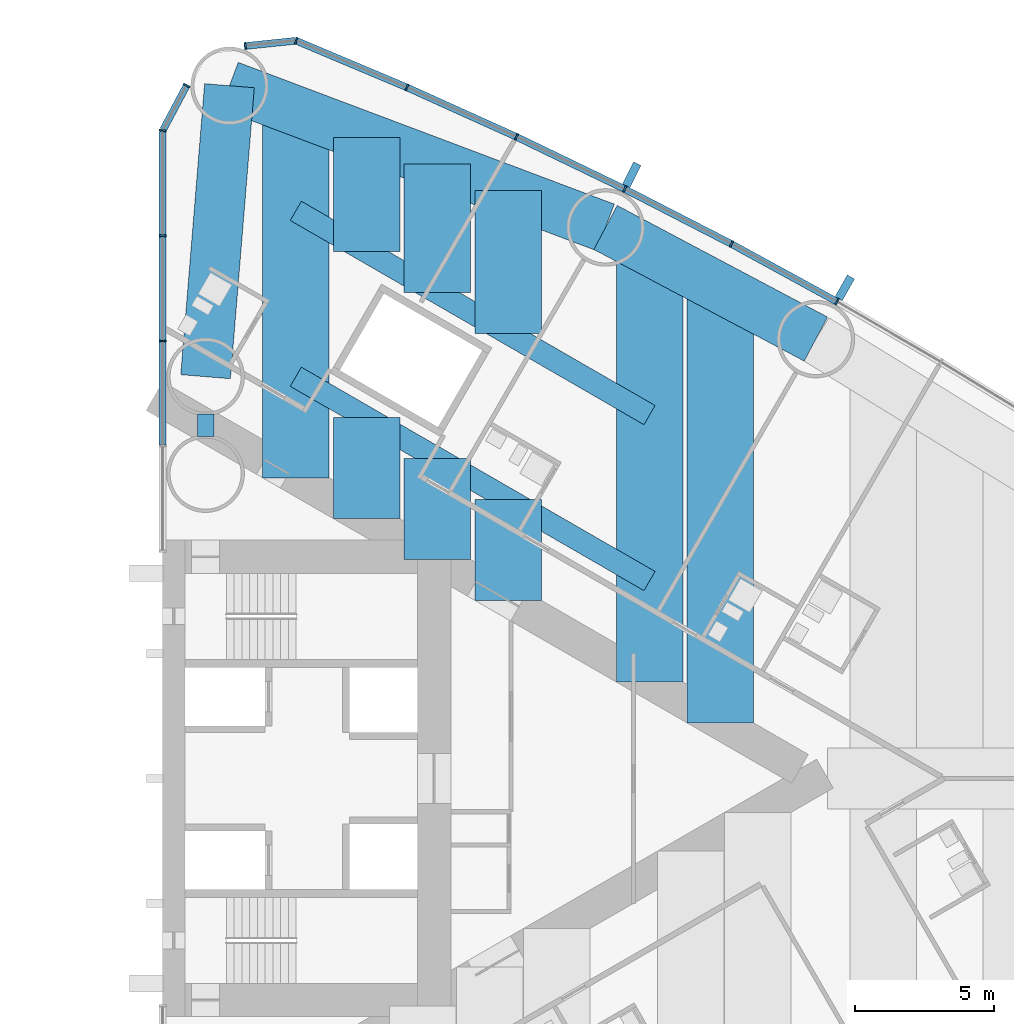
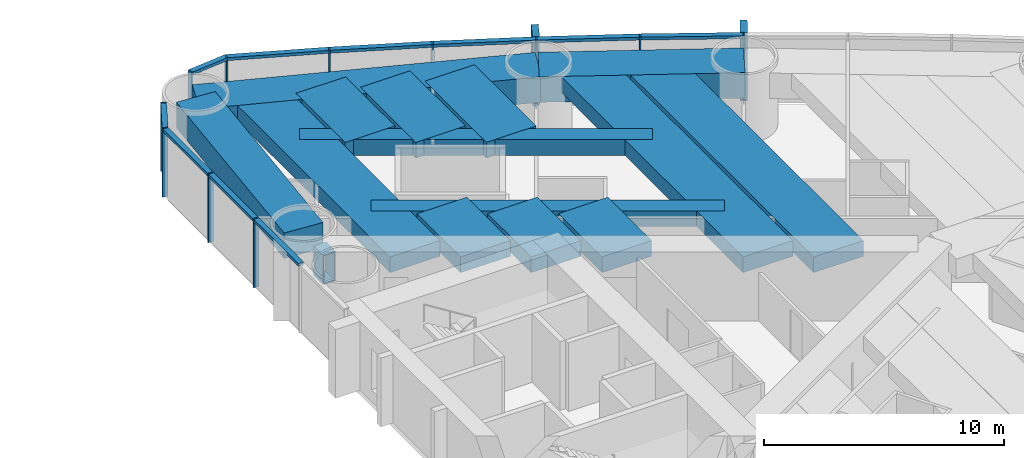
# One storey, part 7 of 18: 23 members, 15 beams, 2 elements without a shape of their own.
"""IFC4 building model written with IfcOpenShell, lengths in metres."""

from ifc_helpers import new_model, si_unit, direction, frame, origin, origin_2d, place, context, subcontext, project, spatial, rectangle, hollow_rectangle, extrude, material, material_profile, profile_set, type_object, element, aggregate, save


model = new_model("IFC4")

# Units and contexts
model_context = context("Model", 3, precision=1e-05, world=origin(), true_north=direction((0.0, 1.0)))
body_context = subcontext(model_context, "Body", "Model", "MODEL_VIEW")
ifc_project = project(units=[si_unit("LENGTHUNIT", "METRE"), si_unit("AREAUNIT", "SQUARE_METRE"), si_unit("VOLUMEUNIT", "CUBIC_METRE"), si_unit("PLANEANGLEUNIT", "RADIAN"), si_unit("MASSUNIT", "GRAM", prefix="KILO")], contexts=[model_context])

# Site, building, storey
site_placement = place(None, origin())
site = spatial("IfcSite", under=ifc_project, at=site_placement, CompositionType="ELEMENT")
building_placement = place(site_placement, origin())
building = spatial("IfcBuilding", under=site, at=building_placement, Name="Lancet Gate Hotel", CompositionType="ELEMENT")
storey_placement = place(building_placement, frame((0.0, 0.0, 56.5)))
storey = spatial("IfcBuildingStorey", under=building, at=storey_placement, Name="L14", CompositionType="ELEMENT", Elevation=56.5)

# Curtain wall, members
ifc_material_1 = material(Name="Aluminium curtain wall", Category="aluminium")
curtain_wall_type = type_object("IfcCurtainWallType", Name="Tower unitised curtain wall", PredefinedType="USERDEFINED", material=ifc_material_1)
curtain_wall_1_placement = place(storey_placement, origin())
curtain_wall_1 = element("IfcCurtainWall", 1, at=curtain_wall_1_placement, inside=storey, type_object=curtain_wall_type, Name="T2 L14 curtain wall 3", ObjectType="UNITISED CURTAIN WALL", PredefinedType="USERDEFINED")
ifc_material_2 = material(Name="Aluminium mullion", Category="aluminium")
ifc_material_profile_1 = material_profile(ifc_material_2, rectangle(XDim=0.06494140625, YDim=0.25, at=origin_2d()), Name="MULLION 65x250")
ifc_profile_set_1 = profile_set([ifc_material_profile_1], Name="Aluminium mullion")
member_type_1 = type_object("IfcMemberType", Name="Aluminium mullion 65x250", PredefinedType="MULLION", material=ifc_profile_set_1)
member_1_placement = place(storey_placement, frame((51.838623046875, 17.208740234375, 0.0), z_axis=(0.0, 0.0, 1.0), x_axis=(-0.871190450382, 0.490945209941, 0.0)))
member_1 = element("IfcMember", 2, at=member_1_placement, type_object=member_type_1, Name="T2 L14 curtain wall 3 mullion 8", PredefinedType="MULLION", context=body_context, shape_type="SweptSolid", body=[
    extrude(rectangle(XDim=0.06494140625, YDim=0.25, at=origin_2d()), origin(), (0.0, 0.0, 1.0), 3.5),
])
member_2_placement = place(storey_placement, frame((48.03271484375, 19.2900390625, 0.0), z_axis=(0.0, 0.0, 1.0), x_axis=(-0.88340346743, 0.468613181347, 0.0)))
member_2 = element("IfcMember", 3, at=member_2_placement, type_object=member_type_1, Name="T2 L14 curtain wall 3 mullion 9", PredefinedType="MULLION", context=body_context, shape_type="SweptSolid", body=[
    extrude(rectangle(XDim=0.06494140625, YDim=0.25, at=origin_2d()), origin(), (0.0, 0.0, 1.0), 3.5),
])
member_3_placement = place(storey_placement, frame((44.17529296875, 21.273681640625, 0.0), z_axis=(0.0, 0.0, 1.0), x_axis=(-0.895044147438, 0.445977548917, 0.0)))
member_3 = element("IfcMember", 4, at=member_3_placement, type_object=member_type_1, Name="T2 L14 curtain wall 3 mullion 10", PredefinedType="MULLION", context=body_context, shape_type="SweptSolid", body=[
    extrude(rectangle(XDim=0.06494140625, YDim=0.25, at=origin_2d()), origin(), (0.0, 0.0, 1.0), 3.5),
])
member_4_placement = place(storey_placement, frame((40.2685546875, 23.15869140625, 0.0), z_axis=(0.0, 0.0, 1.0), x_axis=(-0.906104948671, 0.423052977762, 0.0)))
member_4 = element("IfcMember", 5, at=member_4_placement, type_object=member_type_1, Name="T2 L14 curtain wall 3 mullion 11", PredefinedType="MULLION", context=body_context, shape_type="SweptSolid", body=[
    extrude(rectangle(XDim=0.06494140625, YDim=0.25, at=origin_2d()), origin(), (0.0, 0.0, 1.0), 3.5),
])
member_5_placement = place(storey_placement, frame((36.31494140625, 24.943603515625, 0.0), z_axis=(0.0, 0.0, 1.0), x_axis=(-0.916578705089, 0.399854320193, 0.0)))
member_5 = element("IfcMember", 6, at=member_5_placement, type_object=member_type_1, Name="T2 L14 curtain wall 3 mullion 12", PredefinedType="MULLION", context=body_context, shape_type="SweptSolid", body=[
    extrude(rectangle(XDim=0.06494140625, YDim=0.25, at=origin_2d()), origin(), (0.0, 0.0, 1.0), 3.5),
])
member_6_placement = place(storey_placement, frame((32.3173828125, 26.62744140625, 0.0), z_axis=(0.0, 0.0, 1.0), x_axis=(-0.968721492963, 0.248150496819, 0.0)))
member_6 = element("IfcMember", 7, at=member_6_placement, type_object=member_type_1, Name="T2 L14 curtain wall 3 mullion 13", PredefinedType="MULLION", context=body_context, shape_type="SweptSolid", body=[
    extrude(rectangle(XDim=0.06494140625, YDim=0.25, at=origin_2d()), origin(), (0.0, 0.0, 1.0), 3.5),
])
member_7_placement = place(storey_placement, frame((30.48388671875, 26.4375, 0.0), z_axis=(0.0, 0.0, 1.0), x_axis=(-0.994672262412, -0.10308778001, 0.0)))
member_7 = element("IfcMember", 8, at=member_7_placement, type_object=member_type_1, Name="T2 L14 curtain wall 3 mullion 14", PredefinedType="MULLION", context=body_context, shape_type="SweptSolid", body=[
    extrude(rectangle(XDim=0.06494140625, YDim=0.25, at=origin_2d()), origin(), (0.0, 0.0, 1.0), 3.5),
])

curtain_wall_2_placement = place(storey_placement, origin())
curtain_wall_2 = element("IfcCurtainWall", 9, at=curtain_wall_2_placement, inside=storey, type_object=curtain_wall_type, Name="T2 L14 curtain wall 4", ObjectType="UNITISED CURTAIN WALL", PredefinedType="USERDEFINED")
member_8_placement = place(storey_placement, frame((28.366455078125, 25.012451171875, 0.0), z_axis=(0.0, 0.0, 1.0), x_axis=(-0.469897827284, -0.882720811987, 0.0)))
member_8 = element("IfcMember", 10, at=member_8_placement, type_object=member_type_1, Name="T2 L14 curtain wall 4 mullion 1", PredefinedType="MULLION", context=body_context, shape_type="SweptSolid", body=[
    extrude(rectangle(XDim=0.06494140625, YDim=0.25, at=origin_2d()), origin(), (0.0, 0.0, 1.0), 3.5),
])
member_9_placement = place(storey_placement, frame((27.5, 23.384765625, 0.0), z_axis=(0.0, 0.0, 1.0), x_axis=(-0.157751691459, -0.987478811844, 0.0)))
member_9 = element("IfcMember", 11, at=member_9_placement, type_object=member_type_1, Name="T2 L14 curtain wall 4 mullion 2", PredefinedType="MULLION", context=body_context, shape_type="SweptSolid", body=[
    extrude(rectangle(XDim=0.06494140625, YDim=0.25, at=origin_2d()), origin(), (0.0, 0.0, 1.0), 3.5),
])
member_10_placement = place(storey_placement, frame((27.5, 19.588623046875, 0.0), z_axis=(0.0, 0.0, 1.0), x_axis=(0.0, -1.0, 0.0)))
member_10 = element("IfcMember", 12, at=member_10_placement, type_object=member_type_1, Name="T2 L14 curtain wall 4 mullion 3", PredefinedType="MULLION", context=body_context, shape_type="SweptSolid", body=[
    extrude(rectangle(XDim=0.06494140625, YDim=0.25, at=origin_2d()), origin(), (0.0, 0.0, 1.0), 3.5),
])
member_11_placement = place(storey_placement, frame((27.5, 15.79248046875, 0.0), z_axis=(0.0, 0.0, 1.0), x_axis=(0.0, -1.0, 0.0)))
member_11 = element("IfcMember", 13, at=member_11_placement, type_object=member_type_1, Name="T2 L14 curtain wall 4 mullion 4", PredefinedType="MULLION", context=body_context, shape_type="SweptSolid", body=[
    extrude(rectangle(XDim=0.06494140625, YDim=0.25, at=origin_2d()), origin(), (0.0, 0.0, 1.0), 3.5),
])

# Member
ifc_material_3 = material(Name="Aluminium transom", Category="aluminium")
ifc_material_profile_2 = material_profile(ifc_material_3, rectangle(XDim=0.25, YDim=0.14990234375, at=origin_2d()), Name="TRANSOM 250x150")
ifc_profile_set_2 = profile_set([ifc_material_profile_2], Name="Aluminium transom")
member_type_2 = type_object("IfcMemberType", Name="Aluminium transom 250x150", PredefinedType="USERDEFINED", material=ifc_profile_set_2)
member_12_placement = place(storey_placement, frame((51.81005859375, 17.224365234375, 3.425048828125), z_axis=(-0.877377528879, 0.479800658417, 0.0), x_axis=(-0.479800658417, -0.877377528879, 0.0)))
member_12 = element("IfcMember", 14, at=member_12_placement, type_object=member_type_2, Name="T2 L14 curtain wall 3 transom 8", ObjectType="TRANSOM", PredefinedType="USERDEFINED", context=body_context, shape_type="SweptSolid", body=[
    extrude(rectangle(XDim=0.25, YDim=0.14990234375, at=origin_2d()), origin(), (0.0, 0.0, 1.0), 4.272705078125),
])

member_13_placement = place(storey_placement, frame((48.00390625, 19.304931640625, 3.425048828125), z_axis=(-0.88929576978, 0.457332520002, 0.0), x_axis=(-0.457332520002, -0.88929576978, 0.0)))
member_13 = element("IfcMember", 15, at=member_13_placement, type_object=member_type_2, Name="T2 L14 curtain wall 3 transom 9", ObjectType="TRANSOM", PredefinedType="USERDEFINED", context=body_context, shape_type="SweptSolid", body=[
    extrude(rectangle(XDim=0.25, YDim=0.14990234375, at=origin_2d()), origin(), (0.0, 0.0, 1.0), 4.272705078125),
])

member_14_placement = place(storey_placement, frame((44.14599609375, 21.287841796875, 3.425048828125), z_axis=(-0.900646499888, 0.434552508035, 0.0), x_axis=(-0.434552508035, -0.900646499888, 0.0)))
member_14 = element("IfcMember", 16, at=member_14_placement, type_object=member_type_2, Name="T2 L14 curtain wall 3 transom 10", ObjectType="TRANSOM", PredefinedType="USERDEFINED", context=body_context, shape_type="SweptSolid", body=[
    extrude(rectangle(XDim=0.25, YDim=0.14990234375, at=origin_2d()), origin(), (0.0, 0.0, 1.0), 4.272705078125),
])

member_15_placement = place(storey_placement, frame((40.23876953125, 23.172119140625, 3.425048828125), z_axis=(-0.911396871737, 0.411528543589, 0.0), x_axis=(-0.411528543589, -0.911396871737, 0.0)))
member_15 = element("IfcMember", 17, at=member_15_placement, type_object=member_type_2, Name="T2 L14 curtain wall 3 transom 11", ObjectType="TRANSOM", PredefinedType="USERDEFINED", context=body_context, shape_type="SweptSolid", body=[
    extrude(rectangle(XDim=0.25, YDim=0.14990234375, at=origin_2d()), origin(), (0.0, 0.0, 1.0), 4.272705078125),
])

member_16_placement = place(storey_placement, frame((36.28515625, 24.956298828125, 3.425048828125), z_axis=(-0.92159772617, 0.388146404233, 0.0), x_axis=(-0.388146404233, -0.92159772617, 0.0)))
member_16 = element("IfcMember", 18, at=member_16_placement, type_object=member_type_2, Name="T2 L14 curtain wall 3 transom 12", ObjectType="TRANSOM", PredefinedType="USERDEFINED", context=body_context, shape_type="SweptSolid", body=[
    extrude(rectangle(XDim=0.25, YDim=0.14990234375, at=origin_2d()), origin(), (0.0, 0.0, 1.0), 4.272705078125),
])

member_17_placement = place(storey_placement, frame((32.28515625, 26.6240234375, 3.425048828125), z_axis=(-0.994670452051, -0.103105246306, 0.0), x_axis=(0.103105246306, -0.994670452051, 0.0)))
member_17 = element("IfcMember", 19, at=member_17_placement, type_object=member_type_2, Name="T2 L14 curtain wall 3 transom 13", ObjectType="TRANSOM", PredefinedType="USERDEFINED", context=body_context, shape_type="SweptSolid", body=[
    extrude(rectangle(XDim=0.25, YDim=0.14990234375, at=origin_2d()), origin(), (0.0, 0.0, 1.0), 1.7783203125),
])

member_18_placement = place(storey_placement, frame((28.351318359375, 24.98388671875, 3.425048828125), z_axis=(-0.469904276347, -0.882717378933, 0.0), x_axis=(0.882717378933, -0.469904276347, 0.0)))
member_18 = element("IfcMember", 20, at=member_18_placement, type_object=member_type_2, Name="T2 L14 curtain wall 4 transom 1", ObjectType="TRANSOM", PredefinedType="USERDEFINED", context=body_context, shape_type="SweptSolid", body=[
    extrude(rectangle(XDim=0.25, YDim=0.14990234375, at=origin_2d()), origin(), (0.0, 0.0, 1.0), 1.779052734375),
])

member_19_placement = place(storey_placement, frame((27.5, 23.352294921875, 3.425048828125), z_axis=(0.0, -1.0, 0.0), x_axis=(1.0, 0.0, 0.0)))
member_19 = element("IfcMember", 21, at=member_19_placement, type_object=member_type_2, Name="T2 L14 curtain wall 4 transom 2", ObjectType="TRANSOM", PredefinedType="USERDEFINED", context=body_context, shape_type="SweptSolid", body=[
    extrude(rectangle(XDim=0.25, YDim=0.14990234375, at=origin_2d()), origin(), (0.0, 0.0, 1.0), 3.731201171875),
])

member_20_placement = place(storey_placement, frame((27.5, 19.55615234375, 3.425048828125), z_axis=(0.0, -1.0, 0.0), x_axis=(1.0, 0.0, 0.0)))
member_20 = element("IfcMember", 22, at=member_20_placement, type_object=member_type_2, Name="T2 L14 curtain wall 4 transom 3", ObjectType="TRANSOM", PredefinedType="USERDEFINED", context=body_context, shape_type="SweptSolid", body=[
    extrude(rectangle(XDim=0.25, YDim=0.14990234375, at=origin_2d()), origin(), (0.0, 0.0, 1.0), 3.731201171875),
])

member_21_placement = place(storey_placement, frame((27.5, 15.760009765625, 3.425048828125), z_axis=(0.0, -1.0, 0.0), x_axis=(1.0, 0.0, 0.0)))
member_21 = element("IfcMember", 23, at=member_21_placement, type_object=member_type_2, Name="T2 L14 curtain wall 4 transom 4", ObjectType="TRANSOM", PredefinedType="USERDEFINED", context=body_context, shape_type="SweptSolid", body=[
    extrude(rectangle(XDim=0.25, YDim=0.14990234375, at=origin_2d()), origin(), (0.0, 0.0, 1.0), 3.731201171875),
])

aggregate(curtain_wall_2, [member_8, member_9, member_10, member_11, member_18, member_19, member_20, member_21])

# Beams
ifc_material_4 = material(Name="Concrete C50/60", Category="concrete")
ifc_material_profile_3 = material_profile(ifc_material_4, rectangle(XDim=1.800048828125, YDim=1.300048828125, at=origin_2d()), Name="RC 1800x1300")
ifc_profile_set_3 = profile_set([ifc_material_profile_3], Name="Concrete C50/60")
beam_type_1 = type_object("IfcBeamType", Name="Edge beam RC 1800x1300", PredefinedType="SPANDREL", material=ifc_profile_set_3)
beam_1_placement = place(storey_placement, frame((51.07763671875, 15.8583984375, 2.60009765625), z_axis=(-0.883403493655, 0.46861313191, 0.0), x_axis=(-0.46861313191, -0.883403493655, 0.0)))
element("IfcBeam", 24, at=beam_1_placement, inside=storey, type_object=beam_type_1, Name="T2 edge beam EB1 L14", PredefinedType="SPANDREL", context=body_context, shape_type="SweptSolid", body=[
    extrude(rectangle(XDim=1.800048828125, YDim=1.300048828125, at=origin_2d()), origin(), (0.0, 0.0, 1.0), 8.595703125),
])
beam_2_placement = place(storey_placement, frame((43.484130859375, 19.886474609375, 2.60009765625), z_axis=(-0.935736448066, 0.352700013836, 0.0), x_axis=(-0.352700013836, -0.935736448066, 0.0)))
element("IfcBeam", 25, at=beam_2_placement, inside=storey, type_object=beam_type_1, Name="T2 edge beam EB1 L14", PredefinedType="SPANDREL", context=body_context, shape_type="SweptSolid", body=[
    extrude(rectangle(XDim=1.800048828125, YDim=1.300048828125, at=origin_2d()), origin(), (0.0, 0.0, 1.0), 14.505126953125),
])
beam_3_placement = place(storey_placement, frame((29.050048828125, 14.5, 2.60009765625), z_axis=(0.081714744052, 0.996655758326, 0.0), x_axis=(-0.996655758326, 0.081714744052, 0.0)))
element("IfcBeam", 26, at=beam_3_placement, inside=storey, type_object=beam_type_1, Name="T2 edge beam EB1 L14", PredefinedType="SPANDREL", context=body_context, shape_type="SweptSolid", body=[
    extrude(rectangle(XDim=1.800048828125, YDim=1.300048828125, at=origin_2d()), origin(), (0.0, 0.0, 1.0), 10.53759765625),
])

# Member
ifc_material_5 = material(Name="Precast concrete C50/60", Category="concrete")
ifc_material_profile_4 = material_profile(ifc_material_5, rectangle(XDim=0.300048828125, YDim=0.89990234375, at=origin_2d()), Name="FIN 300x900")
ifc_profile_set_4 = profile_set([ifc_material_profile_4], Name="Precast concrete C50/60")
member_type_3 = type_object("IfcMemberType", Name="Exposed concrete fin 300x900", PredefinedType="USERDEFINED", material=ifc_profile_set_4)
member_22_placement = place(storey_placement, frame((52.120849609375, 17.709716796875, 0.0), z_axis=(0.0, 0.0, 1.0), x_axis=(-0.871190450382, 0.490945209941, 0.0)))
member_22 = element("IfcMember", 27, at=member_22_placement, type_object=member_type_3, Name="T2 L14 curtain wall 3 fin 8", ObjectType="FIN", PredefinedType="USERDEFINED", context=body_context, shape_type="SweptSolid", body=[
    extrude(rectangle(XDim=0.300048828125, YDim=0.89990234375, at=origin_2d()), origin(), (0.0, 0.0, 1.0), 3.5),
])

member_23_placement = place(storey_placement, frame((44.431640625, 21.788330078125, 0.0), z_axis=(0.0, 0.0, 1.0), x_axis=(-0.895044147438, 0.445977548917, 0.0)))
member_23 = element("IfcMember", 28, at=member_23_placement, type_object=member_type_3, Name="T2 L14 curtain wall 3 fin 10", ObjectType="FIN", PredefinedType="USERDEFINED", context=body_context, shape_type="SweptSolid", body=[
    extrude(rectangle(XDim=0.300048828125, YDim=0.89990234375, at=origin_2d()), origin(), (0.0, 0.0, 1.0), 3.5),
])

aggregate(curtain_wall_1, [member_1, member_22, member_2, member_3, member_23, member_4, member_5, member_6, member_7, member_12, member_13, member_14, member_15, member_16, member_17])

# Beams
ifc_material_6 = material(Name="Concrete C50/60", Category="concrete")
ifc_material_profile_5 = material_profile(ifc_material_6, rectangle(XDim=2.39990234375, YDim=0.800048828125, at=origin_2d()), Name="RC 2400x800")
ifc_profile_set_5 = profile_set([ifc_material_profile_5], Name="Concrete C50/60")
beam_type_2 = type_object("IfcBeamType", Name="Floor beam RC 2400x800", PredefinedType="BEAM", material=ifc_profile_set_5)
beam_4_placement = place(storey_placement, frame((32.306396484375, 10.851806640625, 2.85009765625), z_axis=(0.0, 1.0, 0.0), x_axis=(-1.0, 0.0, 0.0)))
element("IfcBeam", 29, at=beam_4_placement, inside=storey, type_object=beam_type_2, Name="T2 floor beam F04N L14", PredefinedType="BEAM", context=body_context, shape_type="SweptSolid", body=[
    extrude(rectangle(XDim=2.39990234375, YDim=0.800048828125, at=origin_2d()), origin(), (0.0, 0.0, 1.0), 13.247802734375),
])
beam_5_placement = place(storey_placement, frame((45.072265625, 3.4814453125, 2.85009765625), z_axis=(0.0, 1.0, 0.0), x_axis=(-1.0, 0.0, 0.0)))
element("IfcBeam", 30, at=beam_5_placement, inside=storey, type_object=beam_type_2, Name="T2 floor beam F12N L14", PredefinedType="BEAM", context=body_context, shape_type="SweptSolid", body=[
    extrude(rectangle(XDim=2.39990234375, YDim=0.800048828125, at=origin_2d()), origin(), (0.0, 0.0, 1.0), 15.5625),
])
beam_6_placement = place(storey_placement, frame((47.62548828125, 2.00732421875, 2.85009765625), z_axis=(0.0, 1.0, 0.0), x_axis=(-1.0, 0.0, 0.0)))
element("IfcBeam", 31, at=beam_6_placement, inside=storey, type_object=beam_type_2, Name="T2 floor beam F14N L14", PredefinedType="BEAM", context=body_context, shape_type="SweptSolid", body=[
    extrude(rectangle(XDim=2.39990234375, YDim=0.800048828125, at=origin_2d()), origin(), (0.0, 0.0, 1.0), 15.68212890625),
])
beam_7_placement = place(storey_placement, frame((34.859619140625, 9.377685546875, 2.85009765625), z_axis=(0.0, 1.0, 0.0), x_axis=(-1.0, 0.0, 0.0)))
element("IfcBeam", 32, at=beam_7_placement, inside=storey, type_object=beam_type_2, Name="T2 floor beam F06NA L14", PredefinedType="BEAM", context=body_context, shape_type="SweptSolid", body=[
    extrude(rectangle(XDim=2.39990234375, YDim=0.800048828125, at=origin_2d()), origin(), (0.0, 0.0, 1.0), 3.645751953125),
])
beam_8_placement = place(storey_placement, frame((34.859619140625, 19.011474609375, 2.85009765625), z_axis=(0.0, 1.0, 0.0), x_axis=(-1.0, 0.0, 0.0)))
element("IfcBeam", 33, at=beam_8_placement, inside=storey, type_object=beam_type_2, Name="T2 floor beam F06NB L14", PredefinedType="BEAM", context=body_context, shape_type="SweptSolid", body=[
    extrude(rectangle(XDim=2.39990234375, YDim=0.800048828125, at=origin_2d()), origin(), (0.0, 0.0, 1.0), 4.125732421875),
])
beam_9_placement = place(storey_placement, frame((37.412841796875, 7.903564453125, 2.85009765625), z_axis=(0.0, 1.0, 0.0), x_axis=(-1.0, 0.0, 0.0)))
element("IfcBeam", 34, at=beam_9_placement, inside=storey, type_object=beam_type_2, Name="T2 floor beam F08NA L14", PredefinedType="BEAM", context=body_context, shape_type="SweptSolid", body=[
    extrude(rectangle(XDim=2.39990234375, YDim=0.800048828125, at=origin_2d()), origin(), (0.0, 0.0, 1.0), 3.6455078125),
])
beam_10_placement = place(storey_placement, frame((37.412841796875, 17.537109375, 2.85009765625), z_axis=(0.0, 1.0, 0.0), x_axis=(-1.0, 0.0, 0.0)))
element("IfcBeam", 35, at=beam_10_placement, inside=storey, type_object=beam_type_2, Name="T2 floor beam F08NB L14", PredefinedType="BEAM", context=body_context, shape_type="SweptSolid", body=[
    extrude(rectangle(XDim=2.39990234375, YDim=0.800048828125, at=origin_2d()), origin(), (0.0, 0.0, 1.0), 4.6376953125),
])
beam_11_placement = place(storey_placement, frame((39.9658203125, 6.429443359375, 2.85009765625), z_axis=(0.0, 1.0, 0.0), x_axis=(-1.0, 0.0, 0.0)))
element("IfcBeam", 36, at=beam_11_placement, inside=storey, type_object=beam_type_2, Name="T2 floor beam F10NA L14", PredefinedType="BEAM", context=body_context, shape_type="SweptSolid", body=[
    extrude(rectangle(XDim=2.39990234375, YDim=0.800048828125, at=origin_2d()), origin(), (0.0, 0.0, 1.0), 3.64501953125),
])
beam_12_placement = place(storey_placement, frame((39.9658203125, 16.062744140625, 2.85009765625), z_axis=(0.0, 1.0, 0.0), x_axis=(-1.0, 0.0, 0.0)))
element("IfcBeam", 37, at=beam_12_placement, inside=storey, type_object=beam_type_2, Name="T2 floor beam F10NB L14", PredefinedType="BEAM", context=body_context, shape_type="SweptSolid", body=[
    extrude(rectangle(XDim=2.39990234375, YDim=0.800048828125, at=origin_2d()), origin(), (0.0, 0.0, 1.0), 5.14990234375),
])
ifc_material_7 = material(Name="Steel S460QL", Category="steel")
ifc_material_profile_6 = material_profile(ifc_material_7, hollow_rectangle(XDim=0.60009765625, YDim=1.5, WallThickness=0.050048828125, at=origin_2d()), Name="BOX 1500x600x50")
ifc_profile_set_6 = profile_set([ifc_material_profile_6], Name="Steel S460QL")
beam_type_3 = type_object("IfcBeamType", Name="Inner-face link beam BOX 1500x600x50", PredefinedType="BEAM", material=ifc_profile_set_6)
beam_13_placement = place(storey_placement, frame((29.050048828125, 12.35009765625, 2.5), z_axis=(0.0, 1.0, 0.0), x_axis=(-1.0, 0.0, 0.0)))
element("IfcBeam", 38, at=beam_13_placement, inside=storey, type_object=beam_type_3, Name="T2 inner-face link beam LK1 L14", PredefinedType="BEAM", context=body_context, shape_type="SweptSolid", body=[
    extrude(hollow_rectangle(XDim=0.60009765625, YDim=1.5, WallThickness=0.050048828125, at=origin_2d()), origin(), (0.0, 0.0, 1.0), 0.7998046875),
])
ifc_material_8 = material(Name="Steel S460QL", Category="steel")
ifc_material_profile_7 = material_profile(ifc_material_8, hollow_rectangle(XDim=0.800048828125, YDim=0.800048828125, WallThickness=0.080078125, at=origin_2d()), Name="BOX 800x800x80")
ifc_profile_set_7 = profile_set([ifc_material_profile_7], Name="Steel S460QL")
beam_type_4 = type_object("IfcBeamType", Name="Trimmer beam BOX 800x800x80", PredefinedType="BEAM", material=ifc_profile_set_7)
beam_14_placement = place(storey_placement, frame((32.306396484375, 20.48583984375, 2.85009765625), z_axis=(0.86598286195, -0.500073677381, 0.0), x_axis=(0.500073677381, 0.86598286195, 0.0)))
element("IfcBeam", 39, at=beam_14_placement, inside=storey, type_object=beam_type_4, Name="T2 trimmer beam TR03N L14", PredefinedType="BEAM", context=body_context, shape_type="SweptSolid", body=[
    extrude(hollow_rectangle(XDim=0.800048828125, YDim=0.800048828125, WallThickness=0.080078125, at=origin_2d()), origin(), (0.0, 0.0, 1.0), 14.741455078125),
])
beam_15_placement = place(storey_placement, frame((32.306396484375, 14.497802734375, 2.85009765625), z_axis=(0.865975689888, -0.500086097111, 0.0), x_axis=(0.500086097111, 0.865975689888, 0.0)))
element("IfcBeam", 40, at=beam_15_placement, inside=storey, type_object=beam_type_4, Name="T2 trimmer beam TR04N L14", PredefinedType="BEAM", context=body_context, shape_type="SweptSolid", body=[
    extrude(hollow_rectangle(XDim=0.800048828125, YDim=0.800048828125, WallThickness=0.080078125, at=origin_2d()), origin(), (0.0, 0.0, 1.0), 14.74169921875),
])

save(model, "model.ifc")
